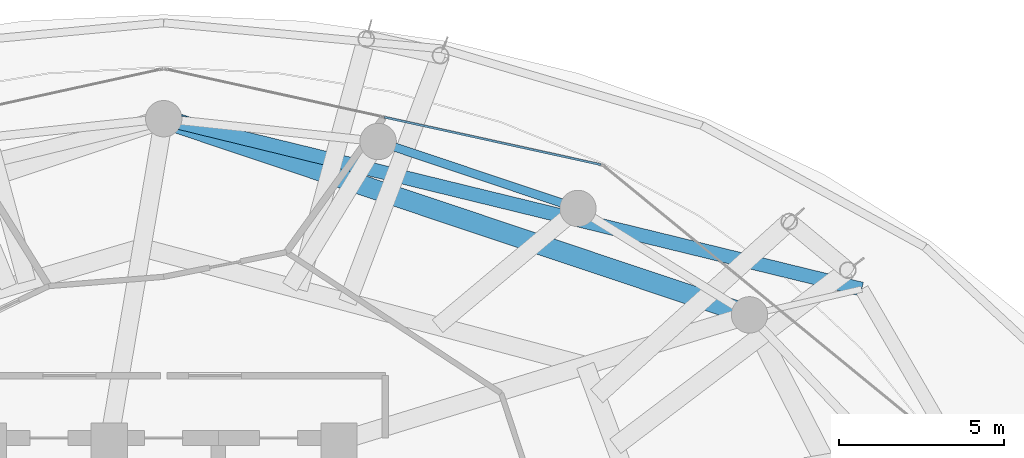
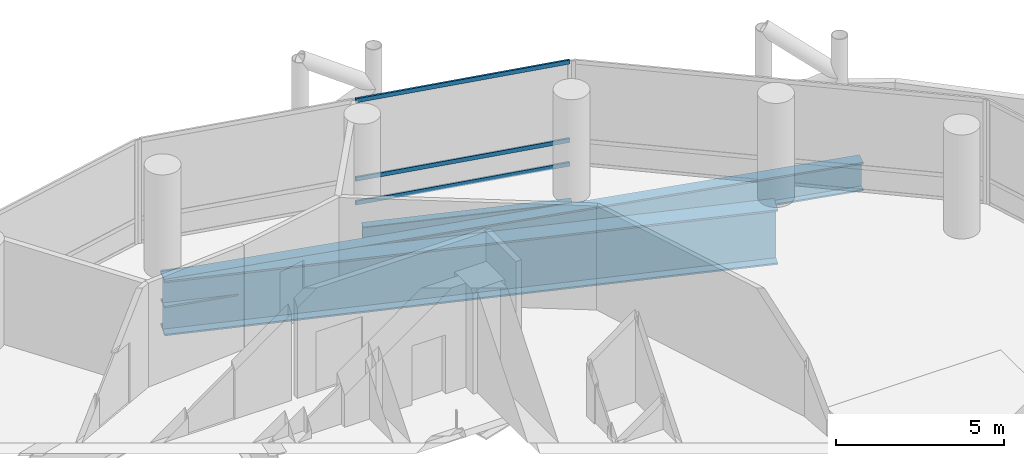
# One storey, part 25 of 37: 3 beams, 3 members, 1 element without a shape of its own.
"""IFC4 building model written with IfcOpenShell, lengths in metres."""

from ifc_helpers import new_model, si_unit, direction, frame, origin, origin_2d, place, context, subcontext, project, spatial, hollow_rectangle, i_section, extrude, material, layer, layer_set, material_profile, profile_set, type_object, element, aggregate, save


model = new_model("IFC4")

# Units and contexts
model_context = context("Model", 3, precision=1e-05, world=origin(), true_north=direction((0.0, 1.0)))
body_context = subcontext(model_context, "Body", "Model", "MODEL_VIEW")
ifc_project = project(units=[si_unit("LENGTHUNIT", "METRE"), si_unit("AREAUNIT", "SQUARE_METRE"), si_unit("VOLUMEUNIT", "CUBIC_METRE"), si_unit("PLANEANGLEUNIT", "RADIAN"), si_unit("MASSUNIT", "GRAM", prefix="KILO")], contexts=[model_context])

# Site, building, storey
site_placement = place(None, origin())
site = spatial("IfcSite", under=ifc_project, at=site_placement, CompositionType="ELEMENT")
building_placement = place(site_placement, origin())
building = spatial("IfcBuilding", under=site, at=building_placement, Name="Nuhasar Tower", CompositionType="ELEMENT")
storey_placement = place(building_placement, frame((0.0, 0.0, 21.0)))
storey = spatial("IfcBuildingStorey", under=building, at=storey_placement, Name="L04", CompositionType="ELEMENT", Elevation=21.0)

# Beams
ifc_material_1 = material(Name="Steel S355", Category="steel")
ifc_material_profile_1 = material_profile(ifc_material_1, i_section(OverallWidth=0.256103515625, OverallDepth=0.693115234375, WebThickness=0.014404296875, FlangeThickness=0.023681640625, at=origin_2d()), Name="W27X114")
ifc_profile_set_1 = profile_set([ifc_material_profile_1], Name="Steel S355")
beam_type_1 = type_object("IfcBeamType", Name="BM-RING-W27X114", PredefinedType="SPANDREL", material=ifc_profile_set_1)
beam_1_placement = place(storey_placement, frame((51.52490234375, 44.3369140625, -0.60693359375), z_axis=(-0.948249435708, 0.317526388949, 0.0), x_axis=(-0.317526388949, -0.948249435708, 0.0)))
element("IfcBeam", 1, at=beam_1_placement, inside=storey, type_object=beam_type_1, Name="L04 Perimeter Ring Spandrel 05", PredefinedType="SPANDREL", context=body_context, shape_type="SweptSolid", body=[
    extrude(i_section(OverallWidth=0.256103515625, OverallDepth=0.693115234375, WebThickness=0.014404296875, FlangeThickness=0.023681640625, at=origin_2d()), origin(), (0.0, 0.0, 1.0), 6.371826171875),
])
ifc_material_2 = material(Name="Steel S460", Category="steel")
ifc_material_profile_2 = material_profile(ifc_material_2, i_section(OverallWidth=0.60009765625, OverallDepth=2.0, WebThickness=0.035888671875, FlangeThickness=0.06005859375, at=origin_2d()), Name="PG2000X600")
ifc_profile_set_2 = profile_set([ifc_material_profile_2], Name="Steel S460")
beam_type_2 = type_object("IfcBeamType", Name="BM-XFER-PG2000", PredefinedType="USERDEFINED", material=ifc_profile_set_2)
beam_2_placement = place(storey_placement, frame((56.712890625, 41.118896484375, -1.260009765625), z_axis=(-0.948251107254, 0.317521397062, 0.0), x_axis=(-0.317521397062, -0.948251107254, 0.0)))
element("IfcBeam", 2, at=beam_2_placement, inside=storey, type_object=beam_type_2, Name="L04 Podium-to-Tower Transfer Chord 05", ObjectType="GIRDER", PredefinedType="USERDEFINED", context=body_context, shape_type="SweptSolid", body=[
    extrude(i_section(OverallWidth=0.60009765625, OverallDepth=2.0, WebThickness=0.035888671875, FlangeThickness=0.06005859375, at=origin_2d()), origin(), (0.0, 0.0, 1.0), 18.679443359375),
])
ifc_material_profile_3 = material_profile(ifc_material_2, i_section(OverallWidth=0.419921875, OverallDepth=1.0400390625, WebThickness=0.031005859375, FlangeThickness=0.055908203125, at=origin_2d()), Name="W40X397")
ifc_profile_set_3 = profile_set([ifc_material_profile_3], Name="Steel S460")
beam_type_3 = type_object("IfcBeamType", Name="BM-XFER-W40X397", PredefinedType="USERDEFINED", material=ifc_profile_set_3)
beam_3_placement = place(storey_placement, frame((60.10693359375, 41.89697265625, -0.780029296875), z_axis=(-0.971466874575, 0.23717527612, 0.0), x_axis=(-0.23717527612, -0.971466874575, 0.0)))
element("IfcBeam", 3, at=beam_3_placement, inside=storey, type_object=beam_type_3, Name="L04 Podium Ring Girder 05", ObjectType="GIRDER", PredefinedType="USERDEFINED", context=body_context, shape_type="SweptSolid", body=[
    extrude(i_section(OverallWidth=0.419921875, OverallDepth=1.0400390625, WebThickness=0.031005859375, FlangeThickness=0.055908203125, at=origin_2d()), origin(), (0.0, 0.0, 1.0), 21.726806640625),
])

# Curtain wall, members
ifc_material_3 = material(Name="Aluminium 6063-T6", Category="aluminium")
ifc_layer = layer(ifc_material_3, 0.199951171875)
ifc_layer_set = layer_set([ifc_layer], Name="Aluminium 6063-T6")
curtain_wall_type = type_object("IfcCurtainWallType", Name="CW-Z1-OFF", PredefinedType="NOTDEFINED", material=ifc_layer_set)
curtain_wall_placement = place(storey_placement, origin())
curtain_wall = element("IfcCurtainWall", 4, at=curtain_wall_placement, inside=storey, type_object=curtain_wall_type, Name="L04 Unitised Curtain Wall 03", PredefinedType="NOTDEFINED")
ifc_material_profile_4 = material_profile(ifc_material_3, hollow_rectangle(XDim=0.06494140625, YDim=0.14990234375, WallThickness=0.00439453125, at=origin_2d()), Name="CWT-2")
ifc_profile_set_4 = profile_set([ifc_material_profile_4], Name="Aluminium 6063-T6")
member_type = type_object("IfcMemberType", Name="CW-TRN-S2", PredefinedType="USERDEFINED", material=ifc_profile_set_4)
member_1_placement = place(storey_placement, frame((52.216552734375, 45.658935546875, 0.032470703125), z_axis=(-0.976749553792, 0.214383556196, 0.0), x_axis=(-0.214383556196, -0.976749553792, 0.0)))
member_1 = element("IfcMember", 5, at=member_1_placement, type_object=member_type, Name="CW-Z1 transom 1.1", ObjectType="TRANSOM", PredefinedType="USERDEFINED", context=body_context, shape_type="SweptSolid", body=[
    extrude(hollow_rectangle(XDim=0.06494140625, YDim=0.14990234375, WallThickness=0.00439453125, at=origin_2d()), origin(), (0.0, 0.0, 1.0), 6.70068359375),
])
member_2_placement = place(storey_placement, frame((52.216552734375, 45.658935546875, 0.89990234375), z_axis=(-0.976749553792, 0.214383556196, 0.0), x_axis=(-0.214383556196, -0.976749553792, 0.0)))
member_2 = element("IfcMember", 6, at=member_2_placement, type_object=member_type, Name="CW-Z1 transom 1.2", ObjectType="TRANSOM", PredefinedType="USERDEFINED", context=body_context, shape_type="SweptSolid", body=[
    extrude(hollow_rectangle(XDim=0.06494140625, YDim=0.14990234375, WallThickness=0.00439453125, at=origin_2d()), origin(), (0.0, 0.0, 1.0), 6.70068359375),
])
member_3_placement = place(storey_placement, frame((52.216552734375, 45.658935546875, 3.757568359375), z_axis=(-0.976749553792, 0.214383556196, 0.0), x_axis=(-0.214383556196, -0.976749553792, 0.0)))
member_3 = element("IfcMember", 7, at=member_3_placement, type_object=member_type, Name="CW-Z1 transom 1.3", ObjectType="TRANSOM", PredefinedType="USERDEFINED", context=body_context, shape_type="SweptSolid", body=[
    extrude(hollow_rectangle(XDim=0.06494140625, YDim=0.14990234375, WallThickness=0.00439453125, at=origin_2d()), origin(), (0.0, 0.0, 1.0), 6.70068359375),
])
aggregate(curtain_wall, [member_1, member_2, member_3])

save(model, "model.ifc")
